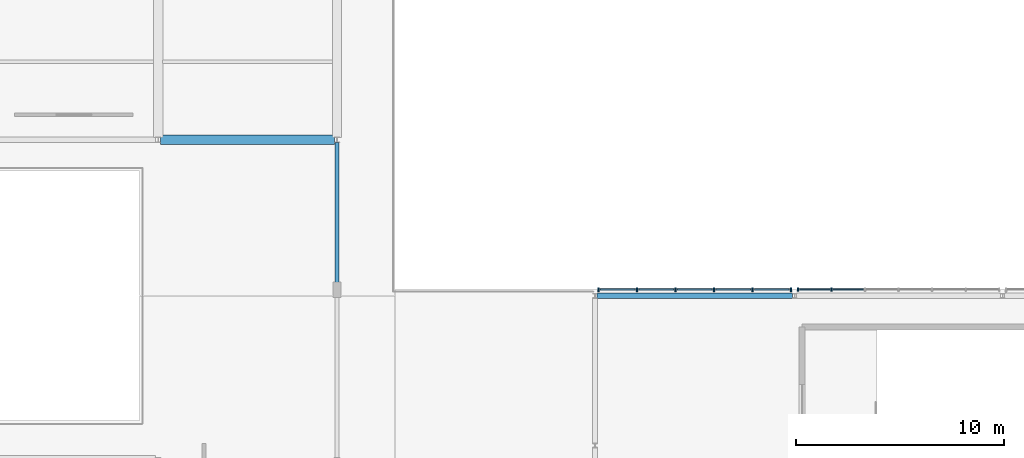
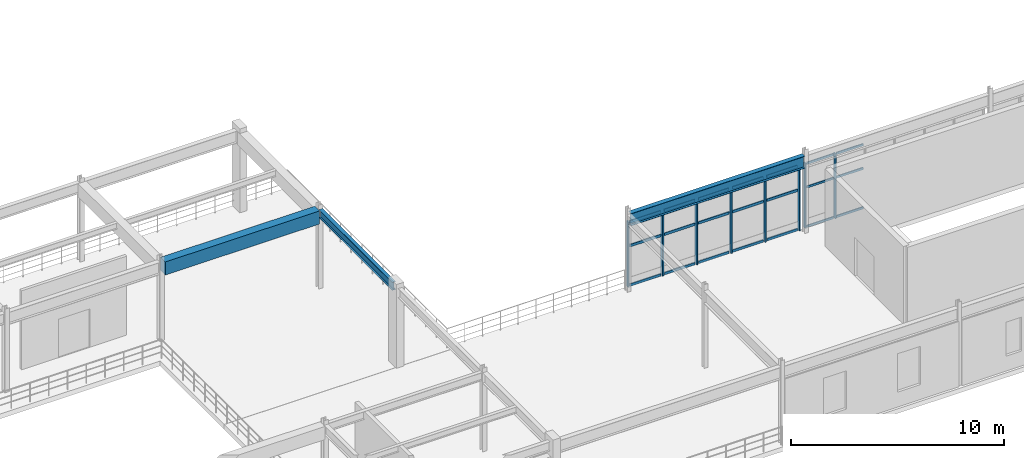
# One storey, part 30 of 144: 29 members, 3 beams, 2 elements without a shape of their own.
"""IFC4 building model written with IfcOpenShell, lengths in metres."""

import ifcopenshell
import ifcopenshell.guid

model = None  # the IFC model being written
_history = None  # IfcOwnerHistory: only IFC2X3 demands one
_inside = {}  # id of a spatial element -> (the spatial element, [elements in it])
_under = {}  # id of a project, library or spatial element -> (it, [spatial elements below it])
_declared = {}  # id of a project -> (the project, [libraries it declares])
_typed = {}  # id of a type object -> (the type object, [elements of that type])
_made_of = {}  # id of a material, layer set ... -> (it, [elements and type objects made of it])


def new_model(schema):
    """Start an empty IFC model of exactly this schema.

    Asked for "IFC4X3", IfcOpenShell would pick the latest addendum, in which some entities
    have other attributes; the version numbers below select the first issue.
    IFC2X3 requires an IfcOwnerHistory on every rooted entity: one is made here for all.
    """
    global model, _history
    if schema == "IFC4X3":
        model = ifcopenshell.file(schema_version=(4, 3, 0, 0))
    else:
        model = ifcopenshell.file(schema=schema)
    _inside.clear()
    _under.clear()
    _declared.clear()
    _typed.clear()
    _made_of.clear()
    _history = None
    if model.schema == "IFC2X3":
        org = make("IfcOrganization", Name="unknown")
        user = make(
            "IfcPersonAndOrganization",
            ThePerson=make("IfcPerson", FamilyName="unknown"),
            TheOrganization=org,
        )
        app = make(
            "IfcApplication",
            ApplicationDeveloper=org,
            Version="unknown",
            ApplicationFullName="unknown",
            ApplicationIdentifier="unknown",
        )
        _history = make(
            "IfcOwnerHistory",
            OwningUser=user,
            OwningApplication=app,
            ChangeAction="ADDED",
            CreationDate=0,
        )
    return model


def make(cls, **values):
    """One entity of the class cls with the attributes given. An attribute that is None is left unset."""
    return model.create_entity(
        cls, **{name: value for name, value in values.items() if value is not None}
    )


def rooted(cls, **values):
    """An entity with a GlobalId (a new one), such as an element, a storey or a relation."""
    return make(cls, GlobalId=ifcopenshell.guid.new(), OwnerHistory=_history, **values)


def si_unit(unit_type, name, prefix=None):
    """IfcSIUnit, for example si_unit("LENGTHUNIT", "METRE", prefix="MILLI")."""
    return make("IfcSIUnit", UnitType=unit_type, Prefix=prefix, Name=name)


def assignment(units):
    """IfcUnitAssignment: the units of a project."""
    return None if units is None else make("IfcUnitAssignment", Units=units)


def point(xyz):
    """IfcCartesianPoint."""
    return None if xyz is None else make("IfcCartesianPoint", Coordinates=xyz)


def direction(xyz):
    """IfcDirection."""
    return None if xyz is None else make("IfcDirection", DirectionRatios=xyz)


def frame(location, z_axis=None, x_axis=None):
    """IfcAxis2Placement3D, a coordinate frame: its origin and axes. An axis left out is left unset."""
    return make(
        "IfcAxis2Placement3D",
        Location=point(location),
        Axis=direction(z_axis),
        RefDirection=direction(x_axis),
    )


def frame_2d(location, x_axis=None):
    """IfcAxis2Placement2D, a coordinate frame in the plane: its origin and x axis."""
    return make(
        "IfcAxis2Placement2D", Location=point(location), RefDirection=direction(x_axis)
    )


def origin():
    """The frame at (0, 0, 0) with its axes left unset."""
    return frame((0.0, 0.0, 0.0))


def origin_2d():
    """The frame at (0, 0) in the plane with its x axis left unset."""
    return frame_2d((0.0, 0.0))


def place(relative_to, where):
    """IfcLocalPlacement: puts the frame where relative to a parent placement (None: the world)."""
    return make(
        "IfcLocalPlacement", PlacementRelTo=relative_to, RelativePlacement=where
    )


def context(
    kind, dimensions, precision=None, world=None, true_north=None, identifier=None
):
    """IfcGeometricRepresentationContext, for example the 3D "Model" context."""
    return make(
        "IfcGeometricRepresentationContext",
        ContextIdentifier=identifier,
        ContextType=kind,
        CoordinateSpaceDimension=dimensions,
        Precision=precision,
        WorldCoordinateSystem=world,
        TrueNorth=true_north,
    )


def subcontext(parent, identifier, kind, view, scale=None):
    """IfcGeometricRepresentationSubContext, for example "Body" below "Model"."""
    return make(
        "IfcGeometricRepresentationSubContext",
        ContextIdentifier=identifier,
        ContextType=kind,
        ParentContext=parent,
        TargetScale=scale,
        TargetView=view,
    )


def project(units=None, contexts=None):
    """IfcProject with its units and contexts."""
    return rooted(
        "IfcProject",
        Name="project",
        RepresentationContexts=contexts,
        UnitsInContext=assignment(units),
    )


def spatial(cls, under=None, at=None, **own):
    """A site, building, storey or space (cls), placed at a placement, below another one or the project."""
    s = rooted(cls, ObjectPlacement=at, **own)
    if under is not None:
        _under.setdefault(under.id(), (under, []))[1].append(s)
    return s


def profile(cls, at=None, kind="AREA", **sizes):
    """A parametric profile (cls). Its sizes go by their IFC names, for example OverallWidth=200.0."""
    return make(cls, ProfileType=kind, Position=at, **sizes)


def rectangle(**sizes):
    """IfcRectangleProfileDef."""
    return profile("IfcRectangleProfileDef", **sizes)


def i_section(**sizes):
    """IfcIShapeProfileDef."""
    return profile("IfcIShapeProfileDef", **sizes)


def extrude(swept, where, along, depth):
    """IfcExtrudedAreaSolid: the profile swept, set in the frame where, extruded along a direction by depth."""
    return make(
        "IfcExtrudedAreaSolid",
        SweptArea=swept,
        Position=where,
        ExtrudedDirection=direction(along),
        Depth=depth,
    )


def shape(context_of_items, identifier, shape_type, items):
    """IfcShapeRepresentation: the items that make up one representation, for example the "Body"."""
    return make(
        "IfcShapeRepresentation",
        ContextOfItems=context_of_items,
        RepresentationIdentifier=identifier,
        RepresentationType=shape_type,
        Items=items,
    )


def material(Name=None, Category=None):
    """IfcMaterial."""
    return make("IfcMaterial", Name=Name, Category=Category)


def material_profile(
    of_material, cross_section, Name=None, Category=None, Priority=None
):
    """IfcMaterialProfile: a cross section and its material."""
    return make(
        "IfcMaterialProfile",
        Name=Name,
        Material=of_material,
        Profile=cross_section,
        Priority=Priority,
        Category=Category,
    )


def profile_set(profiles, Name=None, composite=None):
    """IfcMaterialProfileSet."""
    return make(
        "IfcMaterialProfileSet",
        Name=Name,
        MaterialProfiles=profiles,
        CompositeProfile=composite,
    )


def made_of(thing, what):
    """Note that an element or type object is made of a material, layer set ...; save() writes the relation."""
    if what is not None:
        _made_of.setdefault(what.id(), (what, []))[1].append(thing)
    return thing


def type_object(cls, material=None, **own):
    """A type object (cls), such as IfcWallType, which elements share."""
    return made_of(rooted(cls, **own), material)


def element(
    cls,
    number,
    at=None,
    inside=None,
    cuts=None,
    type_object=None,
    material=None,
    context=None,
    identifier="Body",
    shape_type=None,
    held_by="IfcProductDefinitionShape",
    body=None,
    shapes=None,
    **own,
):
    """One element of the class cls, such as IfcWall. Its Tag is "e" and its number.

    at: its placement. inside: the storey or other place that contains it. cuts: it is an
    opening in that element (IfcRelVoidsElement). A single representation is given by context,
    identifier, shape_type and body (its items); several are given by shapes. held_by: the class
    of the entity that holds the representations. save() writes the other relations.
    """
    e = rooted(cls, Tag="e%d" % number, ObjectPlacement=at, **own)
    if body is not None:
        shapes = [shape(context, identifier, shape_type, body)]
    if shapes is not None:
        e.Representation = make(held_by, Representations=shapes)
    if inside is not None:
        _inside.setdefault(inside.id(), (inside, []))[1].append(e)
    if cuts is not None:
        rooted(
            "IfcRelVoidsElement", RelatingBuildingElement=cuts, RelatedOpeningElement=e
        )
    if type_object is not None:
        _typed.setdefault(type_object.id(), (type_object, []))[1].append(e)
    return made_of(e, material)


def aggregate(whole, parts):
    """IfcRelAggregates: a whole, such as a stair, and the parts it consists of."""
    return rooted("IfcRelAggregates", RelatingObject=whole, RelatedObjects=parts)


def save(model, path):
    """Write the relations noted so far, then the file.

    IfcRelAggregates (storeys below a building ...), IfcRelContainedInSpatialStructure (elements
    in a storey), IfcRelDefinesByType, IfcRelAssociatesMaterial and IfcRelDeclares: one each for
    every whole, place, type object, material and project.
    """
    for whole, parts in _under.values():
        aggregate(whole, parts)
    for where, things in _inside.values():
        rooted(
            "IfcRelContainedInSpatialStructure",
            RelatedElements=things,
            RelatingStructure=where,
        )
    for kind, things in _typed.values():
        rooted("IfcRelDefinesByType", RelatedObjects=things, RelatingType=kind)
    for what, things in _made_of.values():
        rooted("IfcRelAssociatesMaterial", RelatedObjects=things, RelatingMaterial=what)
    for by, libraries in _declared.values():
        rooted("IfcRelDeclares", RelatingContext=by, RelatedDefinitions=libraries)
    model.write(path)


model = new_model("IFC4")

# Units and contexts
model_context = context("Model", 3, precision=1e-05, world=origin(), true_north=direction((0.0, 1.0)))
body_context = subcontext(model_context, "Body", "Model", "MODEL_VIEW")
ifc_project = project(units=[si_unit("LENGTHUNIT", "METRE"), si_unit("AREAUNIT", "SQUARE_METRE"), si_unit("VOLUMEUNIT", "CUBIC_METRE"), si_unit("PLANEANGLEUNIT", "RADIAN"), si_unit("MASSUNIT", "GRAM", prefix="KILO")], contexts=[model_context])

# Site, building, storey
site_placement = place(None, origin())
site = spatial("IfcSite", under=ifc_project, at=site_placement, CompositionType="ELEMENT")
building_placement = place(site_placement, origin())
building = spatial("IfcBuilding", under=site, at=building_placement, Name="Cinderbank Siding Concert Hall", CompositionType="ELEMENT")
storey_placement = place(building_placement, frame((0.0, 0.0, 5.39990234375)))
storey = spatial("IfcBuildingStorey", under=building, at=storey_placement, Name="L02", CompositionType="ELEMENT", Elevation=5.39990234375)

# Beams
ifc_material_1 = material(Name="Reinforced concrete AS 3600 N50 (50 MPa)", Category="concrete")
ifc_material_profile_1 = material_profile(ifc_material_1, rectangle(XDim=0.449951171875, YDim=0.75, at=origin_2d()), Name="RC-BM-450x750", Category="LoadBearing")
ifc_profile_set_1 = profile_set([ifc_material_profile_1], Name="Reinforced concrete AS 3600 N50 (50 MPa)")
beam_type_1 = type_object("IfcBeamType", Name="BM-RC750 RC-BM-450x750", PredefinedType="BEAM", material=ifc_profile_set_1)
beam_1_placement = place(storey_placement, frame((37.51904296875, 28.0, 4.1669921875), z_axis=(1.0, 0.0, 0.0), x_axis=(0.0, 1.0, 0.0)))
element("IfcBeam", 1, at=beam_1_placement, inside=storey, type_object=beam_type_1, Name="L02 Beam BM-RC750 #1520", PredefinedType="BEAM", context=body_context, shape_type="SweptSolid", body=[
    extrude(rectangle(XDim=0.449951171875, YDim=0.75, at=origin_2d()), origin(), (0.0, 0.0, 1.0), 8.362060546875),
])
ifc_material_2 = material(Name="Structural steel AS/NZS 3679.1 Grade 350 (340 MPa)", Category="steel")
ifc_material_profile_2 = material_profile(ifc_material_2, i_section(OverallWidth=0.18994140625, OverallDepth=0.45751953125, WebThickness=0.009033203125, FlangeThickness=0.014404296875, at=origin_2d()), Name="460UB74.6", Category="LoadBearing")
ifc_profile_set_2 = profile_set([ifc_material_profile_2], Name="Structural steel AS/NZS 3679.1 Grade 350 (340 MPa)")
beam_type_2 = type_object("IfcBeamType", Name="BM-UB460 460UB74.6", PredefinedType="BEAM", material=ifc_profile_set_2)
beam_2_placement = place(storey_placement, frame((46.0, 20.991943359375, 4.3134765625), z_axis=(0.0, 1.0, 0.0), x_axis=(-1.0, 0.0, 0.0)))
element("IfcBeam", 2, at=beam_2_placement, inside=storey, type_object=beam_type_2, Name="L02 Beam BM-UB460 #1526", PredefinedType="BEAM", context=body_context, shape_type="SweptSolid", body=[
    extrude(i_section(OverallWidth=0.18994140625, OverallDepth=0.45751953125, WebThickness=0.009033203125, FlangeThickness=0.014404296875, at=origin_2d()), origin(), (0.0, 0.0, 1.0), 6.88916015625),
])
ifc_material_3 = material(Name="Structural steel welded plate section AS/NZS 3679.2 / AS/NZS 3678 Grade 350 (340 MPa)", Category="steel")
ifc_material_profile_3 = material_profile(ifc_material_3, i_section(OverallWidth=0.25, OverallDepth=0.699951171875, WebThickness=0.010009765625, FlangeThickness=0.01611328125, at=origin_2d()), Name="700WB130", Category="LoadBearing")
ifc_profile_set_3 = profile_set([ifc_material_profile_3], Name="Structural steel welded plate section AS/NZS 3679.2 / AS/NZS 3678 Grade 350 (340 MPa)")
beam_type_3 = type_object("IfcBeamType", Name="BM-WB700 700WB130", PredefinedType="BEAM", material=ifc_profile_set_3)
beam_3_placement = place(storey_placement, frame((58.494384765625, 20.5, 4.10205078125), z_axis=(1.0, 0.0, 0.0), x_axis=(0.0, 1.0, 0.0)))
element("IfcBeam", 3, at=beam_3_placement, inside=storey, type_object=beam_type_3, Name="L02 Beam BM-WB700 #1612", PredefinedType="BEAM", context=body_context, shape_type="SweptSolid", body=[
    extrude(i_section(OverallWidth=0.25, OverallDepth=0.699951171875, WebThickness=0.010009765625, FlangeThickness=0.01611328125, at=origin_2d()), origin(), (0.0, 0.0, 1.0), 9.4111328125),
])

# Curtain wall, members
ifc_material_4 = material(Name="Anodised aluminium alloy 6063-T6", Category="aluminium")
curtain_wall_type = type_object("IfcCurtainWallType", Name="CW-16 Unitised Acoustic Curtain Wall 9200x3800", PredefinedType="NOTDEFINED", material=ifc_material_4)
curtain_wall_1_placement = place(storey_placement, origin())
curtain_wall_1 = element("IfcCurtainWall", 4, at=curtain_wall_1_placement, inside=storey, type_object=curtain_wall_type, Name="L02 Curtain Wall CW-16 #142", PredefinedType="NOTDEFINED")
ifc_material_profile_4 = material_profile(ifc_material_4, rectangle(XDim=0.06005859375, YDim=0.159912109375, at=origin_2d()), Name="ALU-MULL-60x160", Category="LoadBearing")
ifc_profile_set_4 = profile_set([ifc_material_profile_4], Name="Anodised aluminium alloy 6063-T6")
member_type_1 = type_object("IfcMemberType", Name="CW-ML1 Mullion 60x160", PredefinedType="MULLION", material=ifc_profile_set_4)
member_1_placement = place(storey_placement, frame((68.16748046875, 20.800048828125, 0.0), z_axis=(0.0, 0.0, 1.0), x_axis=(1.0, 0.0, 0.0)))
member_1 = element("IfcMember", 5, at=member_1_placement, type_object=member_type_1, Name="CW-L02-142 Mullion 0", PredefinedType="MULLION", context=body_context, shape_type="SweptSolid", body=[
    extrude(rectangle(XDim=0.06005859375, YDim=0.159912109375, at=origin_2d()), origin(), (0.0, 0.0, 1.0), 3.737060546875),
])
member_2_placement = place(storey_placement, frame((69.7783203125, 20.800048828125, 0.0), z_axis=(0.0, 0.0, 1.0), x_axis=(1.0, 0.0, 0.0)))
member_2 = element("IfcMember", 6, at=member_2_placement, type_object=member_type_1, Name="CW-L02-142 Mullion 1", PredefinedType="MULLION", context=body_context, shape_type="SweptSolid", body=[
    extrude(rectangle(XDim=0.06005859375, YDim=0.159912109375, at=origin_2d()), origin(), (0.0, 0.0, 1.0), 3.737060546875),
])

curtain_wall_2_placement = place(storey_placement, origin())
curtain_wall_2 = element("IfcCurtainWall", 7, at=curtain_wall_2_placement, inside=storey, type_object=curtain_wall_type, Name="L02 Curtain Wall CW-16 #141", PredefinedType="NOTDEFINED")
ifc_material_profile_5 = material_profile(ifc_material_4, rectangle(XDim=0.06494140625, YDim=0.199951171875, at=origin_2d()), Name="ALU-MULL-65x200", Category="LoadBearing")
ifc_profile_set_5 = profile_set([ifc_material_profile_5], Name="Anodised aluminium alloy 6063-T6")
member_type_2 = type_object("IfcMemberType", Name="CW-ML2 Mullion 65x200", PredefinedType="MULLION", material=ifc_profile_set_5)
member_3_placement = place(storey_placement, frame((58.5673828125, 20.800048828125, 0.0), z_axis=(0.0, 0.0, 1.0), x_axis=(1.0, 0.0, 0.0)))
member_3 = element("IfcMember", 8, at=member_3_placement, type_object=member_type_2, Name="CW-L02-141 Mullion 0", PredefinedType="MULLION", context=body_context, shape_type="SweptSolid", body=[
    extrude(rectangle(XDim=0.06494140625, YDim=0.199951171875, at=origin_2d()), origin(), (0.0, 0.0, 1.0), 3.737060546875),
])
member_4_placement = place(storey_placement, frame((60.42041015625, 20.800048828125, 0.0), z_axis=(0.0, 0.0, 1.0), x_axis=(1.0, 0.0, 0.0)))
member_4 = element("IfcMember", 9, at=member_4_placement, type_object=member_type_2, Name="CW-L02-141 Mullion 1", PredefinedType="MULLION", context=body_context, shape_type="SweptSolid", body=[
    extrude(rectangle(XDim=0.06494140625, YDim=0.199951171875, at=origin_2d()), origin(), (0.0, 0.0, 1.0), 3.737060546875),
])
member_5_placement = place(storey_placement, frame((62.2734375, 20.800048828125, 0.0), z_axis=(0.0, 0.0, 1.0), x_axis=(1.0, 0.0, 0.0)))
member_5 = element("IfcMember", 10, at=member_5_placement, type_object=member_type_2, Name="CW-L02-141 Mullion 2", PredefinedType="MULLION", context=body_context, shape_type="SweptSolid", body=[
    extrude(rectangle(XDim=0.06494140625, YDim=0.199951171875, at=origin_2d()), origin(), (0.0, 0.0, 1.0), 3.737060546875),
])
member_6_placement = place(storey_placement, frame((64.12646484375, 20.800048828125, 0.0), z_axis=(0.0, 0.0, 1.0), x_axis=(1.0, 0.0, 0.0)))
member_6 = element("IfcMember", 11, at=member_6_placement, type_object=member_type_2, Name="CW-L02-141 Mullion 3", PredefinedType="MULLION", context=body_context, shape_type="SweptSolid", body=[
    extrude(rectangle(XDim=0.06494140625, YDim=0.199951171875, at=origin_2d()), origin(), (0.0, 0.0, 1.0), 3.737060546875),
])
member_7_placement = place(storey_placement, frame((65.9794921875, 20.800048828125, 0.0), z_axis=(0.0, 0.0, 1.0), x_axis=(1.0, 0.0, 0.0)))
member_7 = element("IfcMember", 12, at=member_7_placement, type_object=member_type_2, Name="CW-L02-141 Mullion 4", PredefinedType="MULLION", context=body_context, shape_type="SweptSolid", body=[
    extrude(rectangle(XDim=0.06494140625, YDim=0.199951171875, at=origin_2d()), origin(), (0.0, 0.0, 1.0), 3.737060546875),
])
member_8_placement = place(storey_placement, frame((67.83251953125, 20.800048828125, 0.0), z_axis=(0.0, 0.0, 1.0), x_axis=(1.0, 0.0, 0.0)))
member_8 = element("IfcMember", 13, at=member_8_placement, type_object=member_type_2, Name="CW-L02-141 Mullion 5", PredefinedType="MULLION", context=body_context, shape_type="SweptSolid", body=[
    extrude(rectangle(XDim=0.06494140625, YDim=0.199951171875, at=origin_2d()), origin(), (0.0, 0.0, 1.0), 3.737060546875),
])

# Member
ifc_material_profile_6 = material_profile(ifc_material_4, rectangle(XDim=0.06005859375, YDim=0.1201171875, at=origin_2d()), Name="ALU-TRAN-60x120", Category="LoadBearing")
ifc_profile_set_6 = profile_set([ifc_material_profile_6], Name="Anodised aluminium alloy 6063-T6")
member_type_3 = type_object("IfcMemberType", Name="CW-TR1 Transom 60x120", PredefinedType="USERDEFINED", material=ifc_profile_set_6)
member_9_placement = place(storey_placement, frame((68.248046875, 20.800048828125, 0.06005859375), z_axis=(1.0, 0.0, 0.0), x_axis=(0.0, 1.0, 0.0)))
member_9 = element("IfcMember", 14, at=member_9_placement, type_object=member_type_3, Name="CW-L02-142 Transom 0-0", ObjectType="TRANSOM", PredefinedType="USERDEFINED", context=body_context, shape_type="SweptSolid", body=[
    extrude(rectangle(XDim=0.06005859375, YDim=0.1201171875, at=origin_2d()), origin(), (0.0, 0.0, 1.0), 1.44970703125),
])

member_10_placement = place(storey_placement, frame((68.248046875, 20.800048828125, 2.31689453125), z_axis=(1.0, 0.0, 0.0), x_axis=(0.0, 1.0, 0.0)))
member_10 = element("IfcMember", 15, at=member_10_placement, type_object=member_type_3, Name="CW-L02-142 Transom 0-1", ObjectType="TRANSOM", PredefinedType="USERDEFINED", context=body_context, shape_type="SweptSolid", body=[
    extrude(rectangle(XDim=0.06005859375, YDim=0.1201171875, at=origin_2d()), origin(), (0.0, 0.0, 1.0), 1.44970703125),
])

member_11_placement = place(storey_placement, frame((68.248046875, 20.800048828125, 3.677001953125), z_axis=(1.0, 0.0, 0.0), x_axis=(0.0, 1.0, 0.0)))
member_11 = element("IfcMember", 16, at=member_11_placement, type_object=member_type_3, Name="CW-L02-142 Transom 0-2", ObjectType="TRANSOM", PredefinedType="USERDEFINED", context=body_context, shape_type="SweptSolid", body=[
    extrude(rectangle(XDim=0.06005859375, YDim=0.1201171875, at=origin_2d()), origin(), (0.0, 0.0, 1.0), 1.44970703125),
])

member_12_placement = place(storey_placement, frame((69.85888671875, 20.800048828125, 0.06005859375), z_axis=(1.0, 0.0, 0.0), x_axis=(0.0, 1.0, 0.0)))
member_12 = element("IfcMember", 17, at=member_12_placement, type_object=member_type_3, Name="CW-L02-142 Transom 1-0", ObjectType="TRANSOM", PredefinedType="USERDEFINED", context=body_context, shape_type="SweptSolid", body=[
    extrude(rectangle(XDim=0.06005859375, YDim=0.1201171875, at=origin_2d()), origin(), (0.0, 0.0, 1.0), 1.44970703125),
])

member_13_placement = place(storey_placement, frame((69.85888671875, 20.800048828125, 2.31689453125), z_axis=(1.0, 0.0, 0.0), x_axis=(0.0, 1.0, 0.0)))
member_13 = element("IfcMember", 18, at=member_13_placement, type_object=member_type_3, Name="CW-L02-142 Transom 1-1", ObjectType="TRANSOM", PredefinedType="USERDEFINED", context=body_context, shape_type="SweptSolid", body=[
    extrude(rectangle(XDim=0.06005859375, YDim=0.1201171875, at=origin_2d()), origin(), (0.0, 0.0, 1.0), 1.44970703125),
])

member_14_placement = place(storey_placement, frame((69.85888671875, 20.800048828125, 3.677001953125), z_axis=(1.0, 0.0, 0.0), x_axis=(0.0, 1.0, 0.0)))
member_14 = element("IfcMember", 19, at=member_14_placement, type_object=member_type_3, Name="CW-L02-142 Transom 1-2", ObjectType="TRANSOM", PredefinedType="USERDEFINED", context=body_context, shape_type="SweptSolid", body=[
    extrude(rectangle(XDim=0.06005859375, YDim=0.1201171875, at=origin_2d()), origin(), (0.0, 0.0, 1.0), 1.44970703125),
])

aggregate(curtain_wall_1, [member_1, member_2, member_9, member_10, member_11, member_12, member_13, member_14])

ifc_material_profile_7 = material_profile(ifc_material_4, rectangle(XDim=0.06494140625, YDim=0.14990234375, at=origin_2d()), Name="ALU-TRAN-65x150", Category="LoadBearing")
ifc_profile_set_7 = profile_set([ifc_material_profile_7], Name="Anodised aluminium alloy 6063-T6")
member_type_4 = type_object("IfcMemberType", Name="CW-TR2 Transom 65x150", PredefinedType="USERDEFINED", material=ifc_profile_set_7)
member_15_placement = place(storey_placement, frame((58.66015625, 20.800048828125, 0.06005859375), z_axis=(1.0, 0.0, 0.0), x_axis=(0.0, 1.0, 0.0)))
member_15 = element("IfcMember", 20, at=member_15_placement, type_object=member_type_4, Name="CW-L02-141 Transom 0-0", ObjectType="TRANSOM", PredefinedType="USERDEFINED", context=body_context, shape_type="SweptSolid", body=[
    extrude(rectangle(XDim=0.06494140625, YDim=0.14990234375, at=origin_2d()), origin(), (0.0, 0.0, 1.0), 1.667724609375),
])

member_16_placement = place(storey_placement, frame((58.66015625, 20.800048828125, 2.31689453125), z_axis=(1.0, 0.0, 0.0), x_axis=(0.0, 1.0, 0.0)))
member_16 = element("IfcMember", 21, at=member_16_placement, type_object=member_type_4, Name="CW-L02-141 Transom 0-1", ObjectType="TRANSOM", PredefinedType="USERDEFINED", context=body_context, shape_type="SweptSolid", body=[
    extrude(rectangle(XDim=0.06494140625, YDim=0.14990234375, at=origin_2d()), origin(), (0.0, 0.0, 1.0), 1.667724609375),
])

member_17_placement = place(storey_placement, frame((58.66015625, 20.800048828125, 3.677001953125), z_axis=(1.0, 0.0, 0.0), x_axis=(0.0, 1.0, 0.0)))
member_17 = element("IfcMember", 22, at=member_17_placement, type_object=member_type_4, Name="CW-L02-141 Transom 0-2", ObjectType="TRANSOM", PredefinedType="USERDEFINED", context=body_context, shape_type="SweptSolid", body=[
    extrude(rectangle(XDim=0.06494140625, YDim=0.14990234375, at=origin_2d()), origin(), (0.0, 0.0, 1.0), 1.667724609375),
])

member_18_placement = place(storey_placement, frame((60.51318359375, 20.800048828125, 0.06005859375), z_axis=(1.0, 0.0, 0.0), x_axis=(0.0, 1.0, 0.0)))
member_18 = element("IfcMember", 23, at=member_18_placement, type_object=member_type_4, Name="CW-L02-141 Transom 1-0", ObjectType="TRANSOM", PredefinedType="USERDEFINED", context=body_context, shape_type="SweptSolid", body=[
    extrude(rectangle(XDim=0.06494140625, YDim=0.14990234375, at=origin_2d()), origin(), (0.0, 0.0, 1.0), 1.667724609375),
])

member_19_placement = place(storey_placement, frame((60.51318359375, 20.800048828125, 2.31689453125), z_axis=(1.0, 0.0, 0.0), x_axis=(0.0, 1.0, 0.0)))
member_19 = element("IfcMember", 24, at=member_19_placement, type_object=member_type_4, Name="CW-L02-141 Transom 1-1", ObjectType="TRANSOM", PredefinedType="USERDEFINED", context=body_context, shape_type="SweptSolid", body=[
    extrude(rectangle(XDim=0.06494140625, YDim=0.14990234375, at=origin_2d()), origin(), (0.0, 0.0, 1.0), 1.667724609375),
])

member_20_placement = place(storey_placement, frame((60.51318359375, 20.800048828125, 3.677001953125), z_axis=(1.0, 0.0, 0.0), x_axis=(0.0, 1.0, 0.0)))
member_20 = element("IfcMember", 25, at=member_20_placement, type_object=member_type_4, Name="CW-L02-141 Transom 1-2", ObjectType="TRANSOM", PredefinedType="USERDEFINED", context=body_context, shape_type="SweptSolid", body=[
    extrude(rectangle(XDim=0.06494140625, YDim=0.14990234375, at=origin_2d()), origin(), (0.0, 0.0, 1.0), 1.667724609375),
])

member_21_placement = place(storey_placement, frame((62.3662109375, 20.800048828125, 0.06005859375), z_axis=(1.0, 0.0, 0.0), x_axis=(0.0, 1.0, 0.0)))
member_21 = element("IfcMember", 26, at=member_21_placement, type_object=member_type_4, Name="CW-L02-141 Transom 2-0", ObjectType="TRANSOM", PredefinedType="USERDEFINED", context=body_context, shape_type="SweptSolid", body=[
    extrude(rectangle(XDim=0.06494140625, YDim=0.14990234375, at=origin_2d()), origin(), (0.0, 0.0, 1.0), 1.667724609375),
])

member_22_placement = place(storey_placement, frame((62.3662109375, 20.800048828125, 2.31689453125), z_axis=(1.0, 0.0, 0.0), x_axis=(0.0, 1.0, 0.0)))
member_22 = element("IfcMember", 27, at=member_22_placement, type_object=member_type_4, Name="CW-L02-141 Transom 2-1", ObjectType="TRANSOM", PredefinedType="USERDEFINED", context=body_context, shape_type="SweptSolid", body=[
    extrude(rectangle(XDim=0.06494140625, YDim=0.14990234375, at=origin_2d()), origin(), (0.0, 0.0, 1.0), 1.667724609375),
])

member_23_placement = place(storey_placement, frame((62.3662109375, 20.800048828125, 3.677001953125), z_axis=(1.0, 0.0, 0.0), x_axis=(0.0, 1.0, 0.0)))
member_23 = element("IfcMember", 28, at=member_23_placement, type_object=member_type_4, Name="CW-L02-141 Transom 2-2", ObjectType="TRANSOM", PredefinedType="USERDEFINED", context=body_context, shape_type="SweptSolid", body=[
    extrude(rectangle(XDim=0.06494140625, YDim=0.14990234375, at=origin_2d()), origin(), (0.0, 0.0, 1.0), 1.667724609375),
])

member_24_placement = place(storey_placement, frame((64.218994140625, 20.800048828125, 0.06005859375), z_axis=(1.0, 0.0, 0.0), x_axis=(0.0, 1.0, 0.0)))
member_24 = element("IfcMember", 29, at=member_24_placement, type_object=member_type_4, Name="CW-L02-141 Transom 3-0", ObjectType="TRANSOM", PredefinedType="USERDEFINED", context=body_context, shape_type="SweptSolid", body=[
    extrude(rectangle(XDim=0.06494140625, YDim=0.14990234375, at=origin_2d()), origin(), (0.0, 0.0, 1.0), 1.667724609375),
])

member_25_placement = place(storey_placement, frame((64.218994140625, 20.800048828125, 2.31689453125), z_axis=(1.0, 0.0, 0.0), x_axis=(0.0, 1.0, 0.0)))
member_25 = element("IfcMember", 30, at=member_25_placement, type_object=member_type_4, Name="CW-L02-141 Transom 3-1", ObjectType="TRANSOM", PredefinedType="USERDEFINED", context=body_context, shape_type="SweptSolid", body=[
    extrude(rectangle(XDim=0.06494140625, YDim=0.14990234375, at=origin_2d()), origin(), (0.0, 0.0, 1.0), 1.667724609375),
])

member_26_placement = place(storey_placement, frame((64.218994140625, 20.800048828125, 3.677001953125), z_axis=(1.0, 0.0, 0.0), x_axis=(0.0, 1.0, 0.0)))
member_26 = element("IfcMember", 31, at=member_26_placement, type_object=member_type_4, Name="CW-L02-141 Transom 3-2", ObjectType="TRANSOM", PredefinedType="USERDEFINED", context=body_context, shape_type="SweptSolid", body=[
    extrude(rectangle(XDim=0.06494140625, YDim=0.14990234375, at=origin_2d()), origin(), (0.0, 0.0, 1.0), 1.667724609375),
])

member_27_placement = place(storey_placement, frame((66.072021484375, 20.800048828125, 0.06005859375), z_axis=(1.0, 0.0, 0.0), x_axis=(0.0, 1.0, 0.0)))
member_27 = element("IfcMember", 32, at=member_27_placement, type_object=member_type_4, Name="CW-L02-141 Transom 4-0", ObjectType="TRANSOM", PredefinedType="USERDEFINED", context=body_context, shape_type="SweptSolid", body=[
    extrude(rectangle(XDim=0.06494140625, YDim=0.14990234375, at=origin_2d()), origin(), (0.0, 0.0, 1.0), 1.667724609375),
])

member_28_placement = place(storey_placement, frame((66.072021484375, 20.800048828125, 2.31689453125), z_axis=(1.0, 0.0, 0.0), x_axis=(0.0, 1.0, 0.0)))
member_28 = element("IfcMember", 33, at=member_28_placement, type_object=member_type_4, Name="CW-L02-141 Transom 4-1", ObjectType="TRANSOM", PredefinedType="USERDEFINED", context=body_context, shape_type="SweptSolid", body=[
    extrude(rectangle(XDim=0.06494140625, YDim=0.14990234375, at=origin_2d()), origin(), (0.0, 0.0, 1.0), 1.667724609375),
])

member_29_placement = place(storey_placement, frame((66.072021484375, 20.800048828125, 3.677001953125), z_axis=(1.0, 0.0, 0.0), x_axis=(0.0, 1.0, 0.0)))
member_29 = element("IfcMember", 34, at=member_29_placement, type_object=member_type_4, Name="CW-L02-141 Transom 4-2", ObjectType="TRANSOM", PredefinedType="USERDEFINED", context=body_context, shape_type="SweptSolid", body=[
    extrude(rectangle(XDim=0.06494140625, YDim=0.14990234375, at=origin_2d()), origin(), (0.0, 0.0, 1.0), 1.667724609375),
])

aggregate(curtain_wall_2, [member_3, member_4, member_5, member_6, member_7, member_8, member_15, member_16, member_17, member_18, member_19, member_20, member_21, member_22, member_23, member_24, member_25, member_26, member_27, member_28, member_29])

save(model, "model.ifc")
